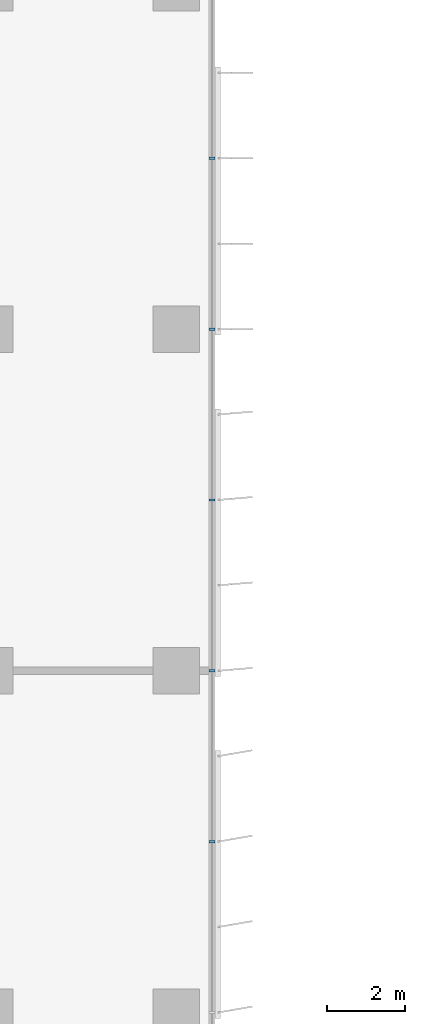
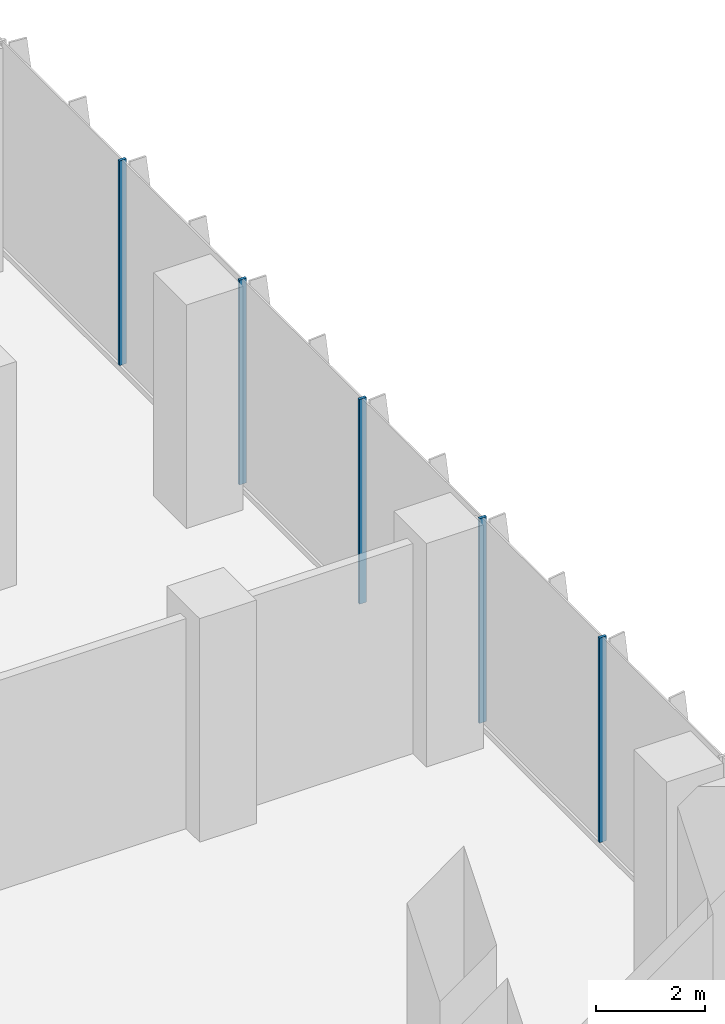
# One storey, part 5 of 21: 5 members, 1 element without a shape of its own.
"""IFC4 building model written with IfcOpenShell, lengths in metres."""

from ifc_helpers import new_model, si_unit, direction, frame, origin, origin_2d, place, context, subcontext, project, spatial, rectangle, extrude, source, transform, mapped, material, material_profile, profile_set, type_object, element, aggregate, save


model = new_model("IFC4")

# Units and contexts
model_context = context("Model", 3, precision=1e-05, world=origin(), true_north=direction((0.0, 1.0)))
body_context = subcontext(model_context, "Body", "Model", "MODEL_VIEW")
ifc_project = project(units=[si_unit("LENGTHUNIT", "METRE"), si_unit("AREAUNIT", "SQUARE_METRE"), si_unit("VOLUMEUNIT", "CUBIC_METRE"), si_unit("PLANEANGLEUNIT", "RADIAN"), si_unit("MASSUNIT", "GRAM", prefix="KILO")], contexts=[model_context])

# Site, building, storey
site_placement = place(None, origin())
site = spatial("IfcSite", under=ifc_project, at=site_placement, CompositionType="ELEMENT")
building_placement = place(site_placement, origin())
building = spatial("IfcBuilding", under=site, at=building_placement, Name="Kemantara Hotel Tower", CompositionType="ELEMENT")
storey_placement = place(building_placement, frame((0.0, 0.0, 133.300048828125)))
storey = spatial("IfcBuildingStorey", under=building, at=storey_placement, Name="L32", CompositionType="ELEMENT", Elevation=133.300048828125)

# Curtain wall, members
ifc_material_1 = material(Name="Low-E tinted double insulated glass 36 mm", Category="glass")
curtain_wall_type = type_object("IfcCurtainWallType", Name="TOWER CURTAIN WALL, FRONT FACES", PredefinedType="USERDEFINED", material=ifc_material_1)
curtain_wall_placement = place(storey_placement, origin())
curtain_wall = element("IfcCurtainWall", 1, at=curtain_wall_placement, inside=storey, type_object=curtain_wall_type, Name="CW4 L32 T2-R14-1", ObjectType="TOWER CURTAIN WALL, FRONT FACES", PredefinedType="USERDEFINED")
ifc_material_2 = material(Name="Aluminium 6063-T6 bronze anodised", Category="aluminium")
ifc_material_profile = material_profile(ifc_material_2, rectangle(XDim=0.14990234375, YDim=0.06005859375, at=origin_2d()), Name="TOWER CURTAIN WALL, FRONT FACES MULLION")
ifc_profile_set = profile_set([ifc_material_profile], Name="Aluminium 6063-T6 bronze anodised")
member_type = type_object("IfcMemberType", Name="TOWER CURTAIN WALL, FRONT FACES MULLION", PredefinedType="MULLION", material=ifc_profile_set)
shared_shape = source(origin(), body_context, "Body", "SweptSolid", [
    extrude(rectangle(XDim=0.14990234375, YDim=0.06005859375, at=origin_2d()), origin(), (0.0, 0.0, 1.0), 4.580078125),
])
member_1_placement = place(storey_placement, frame((26.72509765625, 31.800048828125, 0.119873046875), z_axis=(0.0, 0.0, 1.0), x_axis=(-1.0, 0.0, 0.0)))
member_1 = element("IfcMember", 2, at=member_1_placement, type_object=member_type, Name="CW4 mullion T2-R14-1.4", PredefinedType="MULLION", context=body_context, shape_type="MappedRepresentation", body=[
    mapped(shared_shape, transform((0.0, 0.0, 0.0))),
])
member_2_placement = place(storey_placement, frame((26.72509765625, 36.199951171875, 0.119873046875), z_axis=(0.0, 0.0, 1.0), x_axis=(-1.0, 0.0, 0.0)))
member_2 = element("IfcMember", 3, at=member_2_placement, type_object=member_type, Name="CW4 mullion T2-R14-1.5", PredefinedType="MULLION", context=body_context, shape_type="MappedRepresentation", body=[
    mapped(shared_shape, transform((0.0, 0.0, 0.0))),
])
member_3_placement = place(storey_placement, frame((26.72509765625, 40.60009765625, 0.119873046875), z_axis=(0.0, 0.0, 1.0), x_axis=(-1.0, 0.0, 0.0)))
member_3 = element("IfcMember", 4, at=member_3_placement, type_object=member_type, Name="CW4 mullion T2-R14-1.6", PredefinedType="MULLION", context=body_context, shape_type="MappedRepresentation", body=[
    mapped(shared_shape, transform((0.0, 0.0, 0.0))),
])
member_4_placement = place(storey_placement, frame((26.72509765625, 45.0, 0.119873046875), z_axis=(0.0, 0.0, 1.0), x_axis=(-1.0, 0.0, 0.0)))
member_4 = element("IfcMember", 5, at=member_4_placement, type_object=member_type, Name="CW4 mullion T2-R14-1.7", PredefinedType="MULLION", context=body_context, shape_type="MappedRepresentation", body=[
    mapped(shared_shape, transform((0.0, 0.0, 0.0))),
])
member_5_placement = place(storey_placement, frame((26.72509765625, 49.39990234375, 0.119873046875), z_axis=(0.0, 0.0, 1.0), x_axis=(-1.0, 0.0, 0.0)))
member_5 = element("IfcMember", 6, at=member_5_placement, type_object=member_type, Name="CW4 mullion T2-R14-1.8", PredefinedType="MULLION", context=body_context, shape_type="MappedRepresentation", body=[
    mapped(shared_shape, transform((0.0, 0.0, 0.0))),
])
aggregate(curtain_wall, [member_1, member_2, member_3, member_4, member_5])

save(model, "model.ifc")
